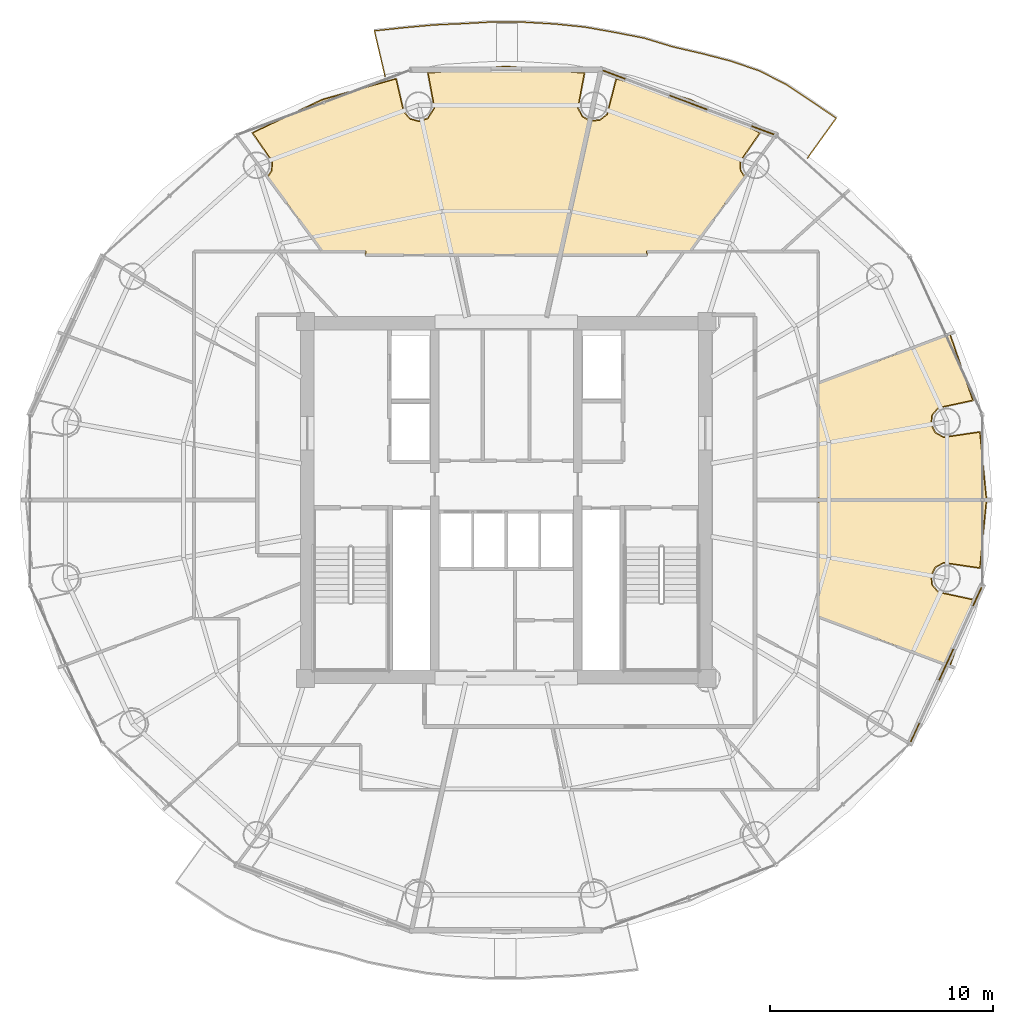
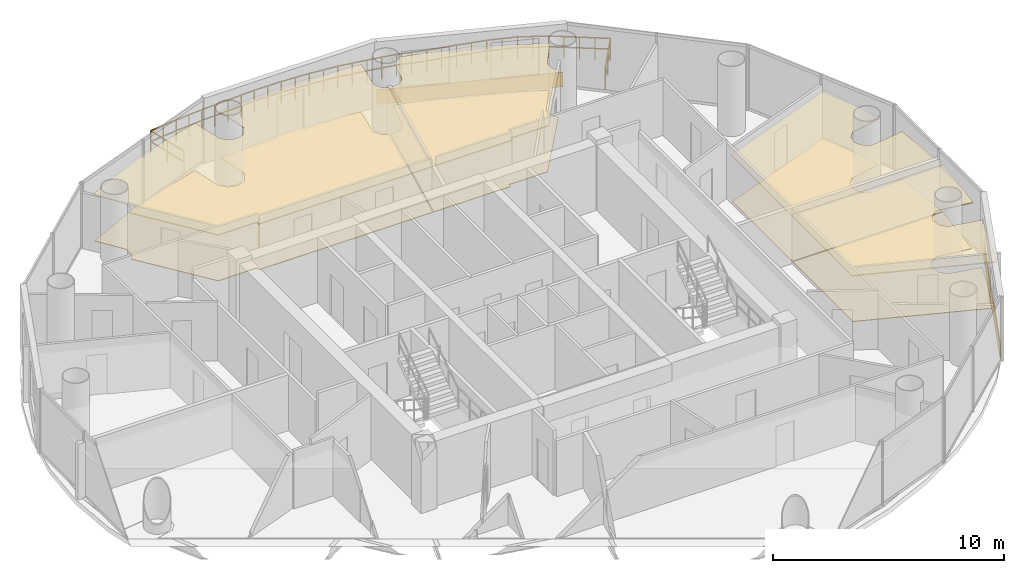
# One storey, part 26 of 26: 10 coverings, 1 railing.
"""IFC4 building model written with IfcOpenShell, lengths in metres."""

from ifc_helpers import new_model, si_unit, direction, frame, origin, origin_2d, place, context, subcontext, project, spatial, polyline, rectangle, outline, extrude, source, transform, mapped, material, layer, layer_set, type_object, element, save


model = new_model("IFC4")

# Units and contexts
model_context = context("Model", 3, precision=1e-05, world=origin(), true_north=direction((-0.2419218956, 0.970295726276)))
body_context = subcontext(model_context, "Body", "Model", "MODEL_VIEW")
ifc_project = project(units=[si_unit("LENGTHUNIT", "METRE"), si_unit("AREAUNIT", "SQUARE_METRE"), si_unit("VOLUMEUNIT", "CUBIC_METRE"), si_unit("PLANEANGLEUNIT", "RADIAN"), si_unit("MASSUNIT", "GRAM", prefix="KILO")], contexts=[model_context])

# Site, building, storey
site_placement = place(None, origin())
site = spatial("IfcSite", under=ifc_project, at=site_placement, CompositionType="ELEMENT")
building_placement = place(site_placement, origin())
building = spatial("IfcBuilding", under=site, at=building_placement, Name="Cobrevalo Terracotta Tower", CompositionType="ELEMENT")
storey_placement = place(building_placement, frame((0.0, 0.0, 213.39990234375)))
storey = spatial("IfcBuildingStorey", under=building, at=storey_placement, Name="L56", CompositionType="ELEMENT", Elevation=213.39990234375)

# Railing
ifc_material_1 = material(Name="Laminated structural glass and stainless steel", Category="steel")
railing_type = type_object("IfcRailingType", Name="Balcony lobe structural glass & terracotta-cap balustrade 1180 mm", PredefinedType="BALUSTRADE", material=ifc_material_1)
railing_placement = place(storey_placement, frame((51.506103515625, 42.128173828125, 0.0)))
element("IfcRailing", 1, at=railing_placement, inside=storey, type_object=railing_type, Name="L56 spiralling balcony lobe balustrade 1", PredefinedType="BALUSTRADE", context=body_context, shape_type="SweptSolid", body=[
    extrude(rectangle(XDim=0.048095703125, YDim=0.048095703125, at=origin_2d()), frame((0.0, 0.0, 1.15576171875), z_axis=(0.584365777879, 0.8114903805, 0.0), x_axis=(-0.8114903805, 0.584365777879, 0.0)), (0.0, 0.0, 1.0), 2.212158203125),
    extrude(rectangle(XDim=0.048095703125, YDim=0.048095703125, at=origin_2d()), frame((0.0, 0.0, 0.58984375), z_axis=(0.584365777879, 0.8114903805, 0.0), x_axis=(-0.8114903805, 0.584365777879, 0.0)), (0.0, 0.0, 1.0), 2.212158203125),
    extrude(rectangle(XDim=0.048095703125, YDim=0.048095703125, at=origin_2d()), frame((1.292724609375, 1.795166015625, 1.15576171875), z_axis=(-0.82820605993, 0.560423698906, 0.0), x_axis=(-0.560423698906, -0.82820605993, 0.0)), (0.0, 0.0, 1.0), 1.335693359375),
    extrude(rectangle(XDim=0.048095703125, YDim=0.048095703125, at=origin_2d()), frame((1.292724609375, 1.795166015625, 0.58984375), z_axis=(-0.82820605993, 0.560423698906, 0.0), x_axis=(-0.560423698906, -0.82820605993, 0.0)), (0.0, 0.0, 1.0), 1.335693359375),
    extrude(rectangle(XDim=0.048095703125, YDim=0.048095703125, at=origin_2d()), frame((0.1865234375, 2.543701171875, 1.15576171875), z_axis=(-0.832050294338, 0.554700196225, 0.0), x_axis=(-0.554700196225, -0.832050294338, 0.0)), (0.0, 0.0, 1.0), 1.344970703125),
    extrude(rectangle(XDim=0.048095703125, YDim=0.048095703125, at=origin_2d()), frame((0.1865234375, 2.543701171875, 0.58984375), z_axis=(-0.832050294338, 0.554700196225, 0.0), x_axis=(-0.554700196225, -0.832050294338, 0.0)), (0.0, 0.0, 1.0), 1.344970703125),
    extrude(rectangle(XDim=0.048095703125, YDim=0.048095703125, at=origin_2d()), frame((-0.9326171875, 3.289794921875, 1.15576171875), z_axis=(-0.889738179252, 0.456471217473, 0.0), x_axis=(-0.456471217473, -0.889738179252, 0.0)), (0.0, 0.0, 1.0), 1.3466796875),
    extrude(rectangle(XDim=0.048095703125, YDim=0.048095703125, at=origin_2d()), frame((-0.9326171875, 3.289794921875, 0.58984375), z_axis=(-0.889738179252, 0.456471217473, 0.0), x_axis=(-0.456471217473, -0.889738179252, 0.0)), (0.0, 0.0, 1.0), 1.3466796875),
    extrude(rectangle(XDim=0.048095703125, YDim=0.048095703125, at=origin_2d()), frame((-2.130859375, 3.904541015625, 1.15576171875), z_axis=(-0.945323295006, 0.326134738901, 0.0), x_axis=(-0.326134738901, -0.945323295006, 0.0)), (0.0, 0.0, 1.0), 1.35791015625),
    extrude(rectangle(XDim=0.048095703125, YDim=0.048095703125, at=origin_2d()), frame((-2.130859375, 3.904541015625, 0.58984375), z_axis=(-0.945323295006, 0.326134738901, 0.0), x_axis=(-0.326134738901, -0.945323295006, 0.0)), (0.0, 0.0, 1.0), 1.35791015625),
    extrude(rectangle(XDim=0.048095703125, YDim=0.048095703125, at=origin_2d()), frame((-3.41455078125, 4.347412109375, 1.15576171875), z_axis=(-0.96797090976, 0.251062378422, 0.0), x_axis=(-0.251062378422, -0.96797090976, 0.0)), (0.0, 0.0, 1.0), 1.3525390625),
    extrude(rectangle(XDim=0.048095703125, YDim=0.048095703125, at=origin_2d()), frame((-3.41455078125, 4.347412109375, 0.58984375), z_axis=(-0.96797090976, 0.251062378422, 0.0), x_axis=(-0.251062378422, -0.96797090976, 0.0)), (0.0, 0.0, 1.0), 1.3525390625),
    extrude(rectangle(XDim=0.048095703125, YDim=0.048095703125, at=origin_2d()), frame((-4.723876953125, 4.68701171875, 1.15576171875), z_axis=(-0.974110003872, 0.226074546016, 0.0), x_axis=(-0.226074546016, -0.974110003872, 0.0)), (0.0, 0.0, 1.0), 1.349853515625),
    extrude(rectangle(XDim=0.048095703125, YDim=0.048095703125, at=origin_2d()), frame((-4.723876953125, 4.68701171875, 0.58984375), z_axis=(-0.974110003872, 0.226074546016, 0.0), x_axis=(-0.226074546016, -0.974110003872, 0.0)), (0.0, 0.0, 1.0), 1.349853515625),
    extrude(rectangle(XDim=0.048095703125, YDim=0.048095703125, at=origin_2d()), frame((-6.038818359375, 4.9921875, 1.15576171875), z_axis=(-0.956640803996, 0.291270273338, 0.0), x_axis=(-0.291270273338, -0.956640803996, 0.0)), (0.0, 0.0, 1.0), 1.341064453125),
    extrude(rectangle(XDim=0.048095703125, YDim=0.048095703125, at=origin_2d()), frame((-6.038818359375, 4.9921875, 0.58984375), z_axis=(-0.956640803996, 0.291270273338, 0.0), x_axis=(-0.291270273338, -0.956640803996, 0.0)), (0.0, 0.0, 1.0), 1.341064453125),
    extrude(rectangle(XDim=0.048095703125, YDim=0.048095703125, at=origin_2d()), frame((-7.32177734375, 5.3828125, 1.15576171875), z_axis=(-0.981707758267, 0.190394005574, 0.0), x_axis=(-0.190394005574, -0.981707758267, 0.0)), (0.0, 0.0, 1.0), 1.346435546875),
    extrude(rectangle(XDim=0.048095703125, YDim=0.048095703125, at=origin_2d()), frame((-7.32177734375, 5.3828125, 0.58984375), z_axis=(-0.981707758267, 0.190394005574, 0.0), x_axis=(-0.190394005574, -0.981707758267, 0.0)), (0.0, 0.0, 1.0), 1.346435546875),
    extrude(rectangle(XDim=0.048095703125, YDim=0.048095703125, at=origin_2d()), frame((-8.6435546875, 5.63916015625, 1.15576171875), z_axis=(-0.984438770225, 0.175727936533, 0.0), x_axis=(-0.175727936533, -0.984438770225, 0.0)), (0.0, 0.0, 1.0), 1.34765625),
    extrude(rectangle(XDim=0.048095703125, YDim=0.048095703125, at=origin_2d()), frame((-8.6435546875, 5.63916015625, 0.58984375), z_axis=(-0.984438770225, 0.175727936533, 0.0), x_axis=(-0.175727936533, -0.984438770225, 0.0)), (0.0, 0.0, 1.0), 1.34765625),
    extrude(rectangle(XDim=0.048095703125, YDim=0.048095703125, at=origin_2d()), frame((-9.97021484375, 5.8759765625, 1.15576171875), z_axis=(-0.994712868116, 0.102695228737, 0.0), x_axis=(-0.102695228737, -0.994712868116, 0.0)), (0.0, 0.0, 1.0), 1.347900390625),
    extrude(rectangle(XDim=0.048095703125, YDim=0.048095703125, at=origin_2d()), frame((-9.97021484375, 5.8759765625, 0.58984375), z_axis=(-0.994712868116, 0.102695228737, 0.0), x_axis=(-0.102695228737, -0.994712868116, 0.0)), (0.0, 0.0, 1.0), 1.347900390625),
    extrude(rectangle(XDim=0.048095703125, YDim=0.048095703125, at=origin_2d()), frame((-11.31103515625, 6.014404296875, 1.15576171875), z_axis=(-0.998252494265, 0.059092788853, 0.0), x_axis=(-0.059092788853, -0.998252494265, 0.0)), (0.0, 0.0, 1.0), 1.35107421875),
    extrude(rectangle(XDim=0.048095703125, YDim=0.048095703125, at=origin_2d()), frame((-11.31103515625, 6.014404296875, 0.58984375), z_axis=(-0.998252494265, 0.059092788853, 0.0), x_axis=(-0.059092788853, -0.998252494265, 0.0)), (0.0, 0.0, 1.0), 1.35107421875),
    extrude(rectangle(XDim=0.048095703125, YDim=0.048095703125, at=origin_2d()), frame((-12.65966796875, 6.09423828125, 1.15576171875), z_axis=(-0.999895148577, 0.014480740747, 0.0), x_axis=(-0.014480740747, -0.999895148577, 0.0)), (0.0, 0.0, 1.0), 1.348876953125),
    extrude(rectangle(XDim=0.048095703125, YDim=0.048095703125, at=origin_2d()), frame((-12.65966796875, 6.09423828125, 0.58984375), z_axis=(-0.999895148577, 0.014480740747, 0.0), x_axis=(-0.014480740747, -0.999895148577, 0.0)), (0.0, 0.0, 1.0), 1.348876953125),
    extrude(rectangle(XDim=0.048095703125, YDim=0.048095703125, at=origin_2d()), frame((-14.00830078125, 6.11376953125, 1.15576171875), z_axis=(-0.998306003335, -0.058181815941, 0.0), x_axis=(0.058181815941, -0.998306003335, 0.0)), (0.0, 0.0, 1.0), 1.35107421875),
    extrude(rectangle(XDim=0.048095703125, YDim=0.048095703125, at=origin_2d()), frame((-14.00830078125, 6.11376953125, 0.58984375), z_axis=(-0.998306003335, -0.058181815941, 0.0), x_axis=(0.058181815941, -0.998306003335, 0.0)), (0.0, 0.0, 1.0), 1.35107421875),
    extrude(rectangle(XDim=0.048095703125, YDim=0.048095703125, at=origin_2d()), frame((-15.357177734375, 6.03515625, 1.15576171875), z_axis=(-0.999021443228, -0.04422845204, 0.0), x_axis=(0.04422845204, -0.999021443228, 0.0)), (0.0, 0.0, 1.0), 1.352294921875),
    extrude(rectangle(XDim=0.048095703125, YDim=0.048095703125, at=origin_2d()), frame((-15.357177734375, 6.03515625, 0.58984375), z_axis=(-0.999021443228, -0.04422845204, 0.0), x_axis=(0.04422845204, -0.999021443228, 0.0)), (0.0, 0.0, 1.0), 1.352294921875),
    extrude(rectangle(XDim=0.048095703125, YDim=0.048095703125, at=origin_2d()), frame((-16.708251953125, 5.975341796875, 1.15576171875), z_axis=(-0.995915335273, -0.090291998366, 0.0), x_axis=(0.090291998366, -0.995915335273, 0.0)), (0.0, 0.0, 1.0), 1.354736328125),
    extrude(rectangle(XDim=0.048095703125, YDim=0.048095703125, at=origin_2d()), frame((-16.708251953125, 5.975341796875, 0.58984375), z_axis=(-0.995915335273, -0.090291998366, 0.0), x_axis=(0.090291998366, -0.995915335273, 0.0)), (0.0, 0.0, 1.0), 1.354736328125),
    extrude(rectangle(XDim=0.048095703125, YDim=0.048095703125, at=origin_2d()), frame((-18.057373046875, 5.85302734375, 1.15576171875), z_axis=(-0.994396117334, -0.105718313608, 0.0), x_axis=(0.105718313608, -0.994396117334, 0.0)), (0.0, 0.0, 1.0), 1.36474609375),
    extrude(rectangle(XDim=0.048095703125, YDim=0.048095703125, at=origin_2d()), frame((-18.057373046875, 5.85302734375, 0.58984375), z_axis=(-0.994396117334, -0.105718313608, 0.0), x_axis=(0.105718313608, -0.994396117334, 0.0)), (0.0, 0.0, 1.0), 1.36474609375),
    extrude(rectangle(XDim=0.048095703125, YDim=0.048095703125, at=origin_2d()), frame((-19.41455078125, 5.708740234375, 1.15576171875), z_axis=(0.227521388651, -0.973773083273, 0.0), x_axis=(0.973773083273, 0.227521388651, 0.0)), (0.0, 0.0, 1.0), 2.115966796875),
    extrude(rectangle(XDim=0.048095703125, YDim=0.048095703125, at=origin_2d()), frame((-19.41455078125, 5.708740234375, 0.58984375), z_axis=(0.227521388651, -0.973773083273, 0.0), x_axis=(0.973773083273, 0.227521388651, 0.0)), (0.0, 0.0, 1.0), 2.115966796875),
    extrude(rectangle(XDim=0.0419921875, YDim=0.0419921875, at=origin_2d()), origin(), (0.0, 0.0, 1.0), 1.1318359375),
    extrude(rectangle(XDim=0.0419921875, YDim=0.0419921875, at=origin_2d()), frame((0.646484375, 0.8974609375, 0.0)), (0.0, 0.0, 1.0), 1.1318359375),
    extrude(rectangle(XDim=0.0419921875, YDim=0.0419921875, at=origin_2d()), frame((1.292724609375, 1.795166015625, 0.0)), (0.0, 0.0, 1.0), 1.1318359375),
    extrude(rectangle(XDim=0.0419921875, YDim=0.0419921875, at=origin_2d()), frame((0.73974609375, 2.16943359375, 0.0)), (0.0, 0.0, 1.0), 1.1318359375),
    extrude(rectangle(XDim=0.0419921875, YDim=0.0419921875, at=origin_2d()), frame((0.1865234375, 2.543701171875, 0.0)), (0.0, 0.0, 1.0), 1.1318359375),
    extrude(rectangle(XDim=0.0419921875, YDim=0.0419921875, at=origin_2d()), frame((-0.373046875, 2.916748046875, 0.0)), (0.0, 0.0, 1.0), 1.1318359375),
    extrude(rectangle(XDim=0.0419921875, YDim=0.0419921875, at=origin_2d()), frame((-0.9326171875, 3.289794921875, 0.0)), (0.0, 0.0, 1.0), 1.1318359375),
    extrude(rectangle(XDim=0.0419921875, YDim=0.0419921875, at=origin_2d()), frame((-1.53173828125, 3.59716796875, 0.0)), (0.0, 0.0, 1.0), 1.1318359375),
    extrude(rectangle(XDim=0.0419921875, YDim=0.0419921875, at=origin_2d()), frame((-2.130859375, 3.904541015625, 0.0)), (0.0, 0.0, 1.0), 1.1318359375),
    extrude(rectangle(XDim=0.0419921875, YDim=0.0419921875, at=origin_2d()), frame((-2.772705078125, 4.1259765625, 0.0)), (0.0, 0.0, 1.0), 1.1318359375),
    extrude(rectangle(XDim=0.0419921875, YDim=0.0419921875, at=origin_2d()), frame((-3.41455078125, 4.347412109375, 0.0)), (0.0, 0.0, 1.0), 1.1318359375),
    extrude(rectangle(XDim=0.0419921875, YDim=0.0419921875, at=origin_2d()), frame((-4.0693359375, 4.51708984375, 0.0)), (0.0, 0.0, 1.0), 1.1318359375),
    extrude(rectangle(XDim=0.0419921875, YDim=0.0419921875, at=origin_2d()), frame((-4.723876953125, 4.68701171875, 0.0)), (0.0, 0.0, 1.0), 1.1318359375),
    extrude(rectangle(XDim=0.0419921875, YDim=0.0419921875, at=origin_2d()), frame((-5.38134765625, 4.839599609375, 0.0)), (0.0, 0.0, 1.0), 1.1318359375),
    extrude(rectangle(XDim=0.0419921875, YDim=0.0419921875, at=origin_2d()), frame((-6.038818359375, 4.9921875, 0.0)), (0.0, 0.0, 1.0), 1.1318359375),
    extrude(rectangle(XDim=0.0419921875, YDim=0.0419921875, at=origin_2d()), frame((-6.68017578125, 5.1875, 0.0)), (0.0, 0.0, 1.0), 1.1318359375),
    extrude(rectangle(XDim=0.0419921875, YDim=0.0419921875, at=origin_2d()), frame((-7.32177734375, 5.3828125, 0.0)), (0.0, 0.0, 1.0), 1.1318359375),
    extrude(rectangle(XDim=0.0419921875, YDim=0.0419921875, at=origin_2d()), frame((-7.982666015625, 5.510986328125, 0.0)), (0.0, 0.0, 1.0), 1.1318359375),
    extrude(rectangle(XDim=0.0419921875, YDim=0.0419921875, at=origin_2d()), frame((-8.6435546875, 5.63916015625, 0.0)), (0.0, 0.0, 1.0), 1.1318359375),
    extrude(rectangle(XDim=0.0419921875, YDim=0.0419921875, at=origin_2d()), frame((-9.306884765625, 5.757568359375, 0.0)), (0.0, 0.0, 1.0), 1.1318359375),
    extrude(rectangle(XDim=0.0419921875, YDim=0.0419921875, at=origin_2d()), frame((-9.97021484375, 5.8759765625, 0.0)), (0.0, 0.0, 1.0), 1.1318359375),
    extrude(rectangle(XDim=0.0419921875, YDim=0.0419921875, at=origin_2d()), frame((-10.640625, 5.9453125, 0.0)), (0.0, 0.0, 1.0), 1.1318359375),
    extrude(rectangle(XDim=0.0419921875, YDim=0.0419921875, at=origin_2d()), frame((-11.31103515625, 6.014404296875, 0.0)), (0.0, 0.0, 1.0), 1.1318359375),
    extrude(rectangle(XDim=0.0419921875, YDim=0.0419921875, at=origin_2d()), frame((-11.9853515625, 6.05419921875, 0.0)), (0.0, 0.0, 1.0), 1.1318359375),
    extrude(rectangle(XDim=0.0419921875, YDim=0.0419921875, at=origin_2d()), frame((-12.65966796875, 6.09423828125, 0.0)), (0.0, 0.0, 1.0), 1.1318359375),
    extrude(rectangle(XDim=0.0419921875, YDim=0.0419921875, at=origin_2d()), frame((-13.333984375, 6.10400390625, 0.0)), (0.0, 0.0, 1.0), 1.1318359375),
    extrude(rectangle(XDim=0.0419921875, YDim=0.0419921875, at=origin_2d()), frame((-14.00830078125, 6.11376953125, 0.0)), (0.0, 0.0, 1.0), 1.1318359375),
    extrude(rectangle(XDim=0.0419921875, YDim=0.0419921875, at=origin_2d()), frame((-14.6826171875, 6.074462890625, 0.0)), (0.0, 0.0, 1.0), 1.1318359375),
    extrude(rectangle(XDim=0.0419921875, YDim=0.0419921875, at=origin_2d()), frame((-15.357177734375, 6.03515625, 0.0)), (0.0, 0.0, 1.0), 1.1318359375),
    extrude(rectangle(XDim=0.0419921875, YDim=0.0419921875, at=origin_2d()), frame((-16.03271484375, 6.00537109375, 0.0)), (0.0, 0.0, 1.0), 1.1318359375),
    extrude(rectangle(XDim=0.0419921875, YDim=0.0419921875, at=origin_2d()), frame((-16.708251953125, 5.975341796875, 0.0)), (0.0, 0.0, 1.0), 1.1318359375),
    extrude(rectangle(XDim=0.0419921875, YDim=0.0419921875, at=origin_2d()), frame((-17.3828125, 5.9140625, 0.0)), (0.0, 0.0, 1.0), 1.1318359375),
    extrude(rectangle(XDim=0.0419921875, YDim=0.0419921875, at=origin_2d()), frame((-18.057373046875, 5.85302734375, 0.0)), (0.0, 0.0, 1.0), 1.1318359375),
    extrude(rectangle(XDim=0.0419921875, YDim=0.0419921875, at=origin_2d()), frame((-18.73583984375, 5.78076171875, 0.0)), (0.0, 0.0, 1.0), 1.1318359375),
    extrude(rectangle(XDim=0.0419921875, YDim=0.0419921875, at=origin_2d()), frame((-19.41455078125, 5.708740234375, 0.0)), (0.0, 0.0, 1.0), 1.1318359375),
    extrude(rectangle(XDim=0.0419921875, YDim=0.0419921875, at=origin_2d()), frame((-19.173828125, 4.678466796875, 0.0)), (0.0, 0.0, 1.0), 1.1318359375),
    extrude(rectangle(XDim=0.0419921875, YDim=0.0419921875, at=origin_2d()), frame((-18.93310546875, 3.648193359375, 0.0)), (0.0, 0.0, 1.0), 1.1318359375),
])

# Coverings
ifc_material_2 = material(Name="Engineered Brazilian hardwood flooring", Category="wood")
ifc_layer_1 = layer(ifc_material_2, 0.028076171875)
ifc_layer_set_1 = layer_set([ifc_layer_1], Name="Engineered Brazilian hardwood flooring")
covering_type_1 = type_object("IfcCoveringType", Name="Engineered Hardwood Suite Flooring 28", PredefinedType="FLOORING", material=ifc_layer_set_1)
covering_1_placement = place(storey_placement, origin())
element("IfcCovering", 2, at=covering_1_placement, inside=storey, type_object=covering_type_1, Name="Flat L56A Living and Dining Room floor finish", PredefinedType="FLOORING", context=body_context, shape_type="SweptSolid", body=[
    extrude(outline(polyline([(57.885498046875, 34.221923828125), (58.90771484375, 31.277099609375), (57.364013671875, 30.94482421875), (57.0849609375, 30.6181640625), (57.0341796875, 30.191650390625), (57.229248046875, 29.80859375), (57.60400390625, 29.5986328125), (59.2265625, 29.83056640625), (59.5185546875, 26.820068359375), (52.014892578125, 26.820068359375), (52.014892578125, 32.024658203125), (57.885498046875, 34.221923828125)])), origin(), (0.0, 0.0, 1.0), 0.030029296875),
])
covering_2_placement = place(storey_placement, origin())
element("IfcCovering", 3, at=covering_2_placement, inside=storey, type_object=covering_type_1, Name="Flat L56A Principal Guest Bedroom floor finish", PredefinedType="FLOORING", context=body_context, shape_type="SweptSolid", body=[
    extrude(outline(polyline([(49.3544921875, 43.259765625), (48.477294921875, 41.98974609375), (48.497314453125, 41.560546875), (48.681396484375, 41.279541015625), (46.23046875, 37.965087890625), (44.284912109375, 37.965087890625), (44.284912109375, 37.804931640625), (40.44287109375, 37.804931640625), (41.759765625, 43.78759765625), (42.198974609375, 43.813232421875), (42.537109375, 44.078369140625), (42.9482421875, 45.669921875), (46.236083984375, 44.741455078125), (49.3544921875, 43.259765625)])), origin(), (0.0, 0.0, 1.0), 0.030029296875),
])
covering_3_placement = place(storey_placement, origin())
element("IfcCovering", 4, at=covering_3_placement, inside=storey, type_object=covering_type_1, Name="Flat L56B Penthouse Living and Dining Room floor finish", PredefinedType="FLOORING", context=body_context, shape_type="SweptSolid", body=[
    extrude(outline(polyline([(29.763916015625, 44.741455078125), (33.0517578125, 45.669921875), (33.3916015625, 44.204833984375), (33.67138671875, 43.87890625), (34.08544921875, 43.76318359375), (34.49365234375, 43.89697265625), (34.7978515625, 44.375), (34.509765625, 45.931640625), (38.0, 46.219970703125), (41.490234375, 45.931640625), (41.2021484375, 44.375), (41.396240234375, 43.991455078125), (41.720947265625, 43.797119140625), (40.40185546875, 37.804931640625), (31.715087890625, 37.804931640625), (31.715087890625, 37.965087890625), (29.76953125, 37.965087890625), (27.318603515625, 41.279541015625), (27.502685546875, 41.560546875), (27.522705078125, 41.98974609375), (26.6455078125, 43.259765625), (29.763916015625, 44.741455078125)])), origin(), (0.0, 0.0, 1.0), 0.030029296875),
])
covering_4_placement = place(storey_placement, origin())
element("IfcCovering", 5, at=covering_4_placement, inside=storey, type_object=covering_type_1, Name="Flat L56D Penthouse Family Lounge floor finish", PredefinedType="FLOORING", context=body_context, shape_type="SweptSolid", body=[
    extrude(outline(polyline([(52.014892578125, 21.575439453125), (52.014892578125, 26.780029296875), (59.5185546875, 26.780029296875), (59.2265625, 23.76953125), (57.60400390625, 24.00146484375), (57.229248046875, 23.791259765625), (57.0341796875, 23.408447265625), (57.0849609375, 22.981689453125), (57.364013671875, 22.655029296875), (58.90771484375, 22.322998046875), (57.885498046875, 19.3779296875), (52.014892578125, 21.575439453125)])), origin(), (0.0, 0.0, 1.0), 0.030029296875),
])
ifc_material_3 = material(Name="Acoustic perforated gypsum ceiling", Category="gypsum")
ifc_layer_2 = layer(ifc_material_3, 0.050048828125)
ifc_layer_set_2 = layer_set([ifc_layer_2], Name="Acoustic perforated gypsum ceiling")
covering_type_2 = type_object("IfcCoveringType", Name="Perforated Acoustic Gypsum Ceiling 50", PredefinedType="CEILING", material=ifc_layer_set_2)
covering_5_placement = place(storey_placement, frame((0.0, 0.0, 2.445068359375)))
element("IfcCovering", 6, at=covering_5_placement, inside=storey, type_object=covering_type_2, Name="Flat L56A Living and Dining Room acoustic ceiling", PredefinedType="CEILING", context=body_context, shape_type="SweptSolid", body=[
    extrude(outline(polyline([(57.911865234375, 34.280029296875), (58.961669921875, 31.240966796875), (57.388427734375, 30.90673828125), (57.126220703125, 30.60009765625), (57.07861328125, 30.199462890625), (57.26171875, 29.83984375), (57.613525390625, 29.642578125), (59.26123046875, 29.88232421875), (59.56689453125, 26.77490234375), (51.969970703125, 26.77490234375), (51.969970703125, 32.055908203125), (57.911865234375, 34.280029296875)])), origin(), (0.0, 0.0, 1.0), 0.050048828125),
])
covering_6_placement = place(storey_placement, frame((0.0, 0.0, 2.445068359375)))
element("IfcCovering", 7, at=covering_6_placement, inside=storey, type_object=covering_type_2, Name="Flat L56A Principal Guest Bedroom acoustic ceiling", PredefinedType="CEILING", context=body_context, shape_type="SweptSolid", body=[
    extrude(outline(polyline([(49.420166015625, 43.272705078125), (48.521240234375, 41.978759765625), (48.539794921875, 41.57568359375), (48.74169921875, 41.285400390625), (46.253173828125, 37.919921875), (44.330078125, 37.919921875), (44.330078125, 37.760009765625), (40.386962890625, 37.760009765625), (41.724853515625, 43.838623046875), (42.1826171875, 43.85546875), (42.500244140625, 44.1044921875), (42.91357421875, 45.7216796875), (46.251708984375, 44.78369140625), (49.420166015625, 43.272705078125)])), origin(), (0.0, 0.0, 1.0), 0.050048828125),
])
covering_7_placement = place(storey_placement, frame((0.0, 0.0, 2.445068359375)))
element("IfcCovering", 8, at=covering_7_placement, inside=storey, type_object=covering_type_2, Name="Flat L56B Penthouse Living and Dining Room acoustic ceiling", PredefinedType="CEILING", context=body_context, shape_type="SweptSolid", body=[
    extrude(outline(polyline([(29.748291015625, 44.78369140625), (33.08642578125, 45.7216796875), (33.43310546875, 44.22314453125), (33.69580078125, 43.9169921875), (34.084228515625, 43.808349609375), (34.4677734375, 43.93408203125), (34.753173828125, 44.3828125), (34.455810546875, 45.967529296875), (38.0, 46.26513671875), (41.544189453125, 45.967529296875), (41.246826171875, 44.3828125), (41.428955078125, 44.02294921875), (41.7734375, 43.8271484375), (40.43798828125, 37.760009765625), (31.669921875, 37.760009765625), (31.669921875, 37.919921875), (29.746826171875, 37.919921875), (27.25830078125, 41.285400390625), (27.460205078125, 41.57568359375), (27.478759765625, 41.978759765625), (26.579833984375, 43.272705078125), (29.748291015625, 44.78369140625)])), origin(), (0.0, 0.0, 1.0), 0.050048828125),
])
covering_8_placement = place(storey_placement, frame((0.0, 0.0, 2.445068359375)))
element("IfcCovering", 9, at=covering_8_placement, inside=storey, type_object=covering_type_2, Name="Flat L56D Penthouse Family Lounge acoustic ceiling", PredefinedType="CEILING", context=body_context, shape_type="SweptSolid", body=[
    extrude(outline(polyline([(51.969970703125, 21.544189453125), (51.969970703125, 26.824951171875), (59.56689453125, 26.824951171875), (59.26123046875, 23.717529296875), (57.613525390625, 23.957275390625), (57.26171875, 23.760009765625), (57.07861328125, 23.400634765625), (57.126220703125, 23.0), (57.388427734375, 22.693359375), (58.961669921875, 22.359130859375), (57.911865234375, 19.320068359375), (51.969970703125, 21.544189453125)])), origin(), (0.0, 0.0, 1.0), 0.050048828125),
])
ifc_material_4 = material(Name="Glazed terracotta facade cladding tile", Category="masonry")
ifc_layer_3 = layer(ifc_material_4, 0.044921875)
ifc_layer_set_3 = layer_set([ifc_layer_3], Name="Glazed terracotta facade cladding tile")
covering_type_3 = type_object("IfcCoveringType", Name="Architectural terracotta rainscreen spandrel cladding 45 mm", PredefinedType="CLADDING", material=ifc_layer_set_3)
shared_shape_1 = source(origin(), body_context, "Body", "SweptSolid", [
    extrude(rectangle(XDim=7.60009765625, YDim=0.044921875, at=origin_2d()), origin(), (0.0, 0.0, 1.0), 0.760009765625),
])
covering_9_placement = place(storey_placement, frame((57.726318359375, 19.417236328125, 0.0400390625), z_axis=(0.0, 0.0, 1.0), x_axis=(0.416731425355, 0.909029657999, 0.0)))
element("IfcCovering", 10, at=covering_9_placement, inside=storey, type_object=covering_type_3, Name="L56 terracotta spandrel cladding S15", PredefinedType="CLADDING", context=body_context, shape_type="MappedRepresentation", body=[
    mapped(shared_shape_1, transform((0.0, 0.0, 0.0), scale=1.0)),
])
shared_shape_2 = source(origin(), body_context, "Body", "SweptSolid", [
    extrude(rectangle(XDim=8.17919921875, YDim=0.044921875, at=origin_2d()), origin(), (0.0, 0.0, 1.0), 0.760009765625),
])
covering_10_placement = place(storey_placement, frame((46.1708984375, 44.62353515625, 0.0400390625), z_axis=(0.0, 0.0, 1.0), x_axis=(-0.936557839879, 0.350513070458, 0.0)))
element("IfcCovering", 11, at=covering_10_placement, inside=storey, type_object=covering_type_3, Name="L56 terracotta spandrel cladding S03", PredefinedType="CLADDING", context=body_context, shape_type="MappedRepresentation", body=[
    mapped(shared_shape_2, transform((0.0, 0.0, 0.0), scale=1.0)),
])

save(model, "model.ifc")
